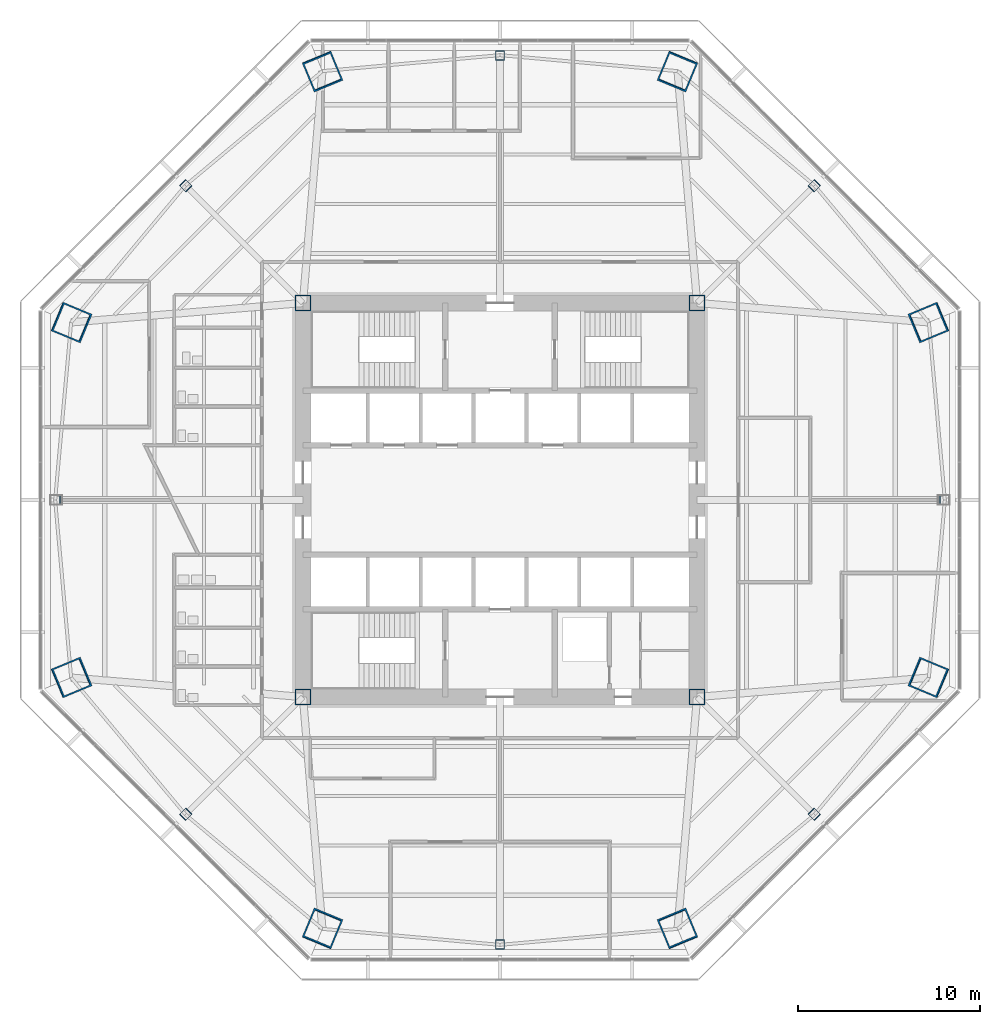
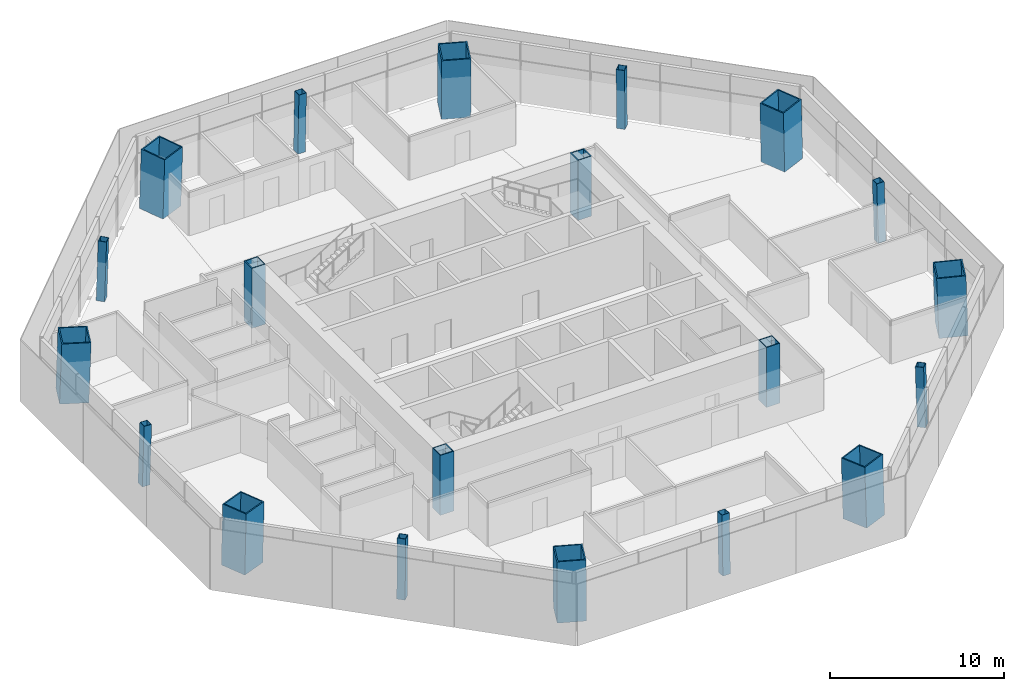
# One storey, part 1 of 16: 20 columns.
"""IFC4 building model written with IfcOpenShell, lengths in metres."""

import ifcopenshell
import ifcopenshell.guid

model = None  # the IFC model being written
_history = None  # IfcOwnerHistory: only IFC2X3 demands one
_inside = {}  # id of a spatial element -> (the spatial element, [elements in it])
_under = {}  # id of a project, library or spatial element -> (it, [spatial elements below it])
_declared = {}  # id of a project -> (the project, [libraries it declares])
_typed = {}  # id of a type object -> (the type object, [elements of that type])
_made_of = {}  # id of a material, layer set ... -> (it, [elements and type objects made of it])


def new_model(schema):
    """Start an empty IFC model of exactly this schema.

    Asked for "IFC4X3", IfcOpenShell would pick the latest addendum, in which some entities
    have other attributes; the version numbers below select the first issue.
    IFC2X3 requires an IfcOwnerHistory on every rooted entity: one is made here for all.
    """
    global model, _history
    if schema == "IFC4X3":
        model = ifcopenshell.file(schema_version=(4, 3, 0, 0))
    else:
        model = ifcopenshell.file(schema=schema)
    _inside.clear()
    _under.clear()
    _declared.clear()
    _typed.clear()
    _made_of.clear()
    _history = None
    if model.schema == "IFC2X3":
        org = make("IfcOrganization", Name="unknown")
        user = make(
            "IfcPersonAndOrganization",
            ThePerson=make("IfcPerson", FamilyName="unknown"),
            TheOrganization=org,
        )
        app = make(
            "IfcApplication",
            ApplicationDeveloper=org,
            Version="unknown",
            ApplicationFullName="unknown",
            ApplicationIdentifier="unknown",
        )
        _history = make(
            "IfcOwnerHistory",
            OwningUser=user,
            OwningApplication=app,
            ChangeAction="ADDED",
            CreationDate=0,
        )
    return model


def make(cls, **values):
    """One entity of the class cls with the attributes given. An attribute that is None is left unset."""
    return model.create_entity(
        cls, **{name: value for name, value in values.items() if value is not None}
    )


def rooted(cls, **values):
    """An entity with a GlobalId (a new one), such as an element, a storey or a relation."""
    return make(cls, GlobalId=ifcopenshell.guid.new(), OwnerHistory=_history, **values)


def si_unit(unit_type, name, prefix=None):
    """IfcSIUnit, for example si_unit("LENGTHUNIT", "METRE", prefix="MILLI")."""
    return make("IfcSIUnit", UnitType=unit_type, Prefix=prefix, Name=name)


def assignment(units):
    """IfcUnitAssignment: the units of a project."""
    return None if units is None else make("IfcUnitAssignment", Units=units)


def point(xyz):
    """IfcCartesianPoint."""
    return None if xyz is None else make("IfcCartesianPoint", Coordinates=xyz)


def direction(xyz):
    """IfcDirection."""
    return None if xyz is None else make("IfcDirection", DirectionRatios=xyz)


def frame(location, z_axis=None, x_axis=None):
    """IfcAxis2Placement3D, a coordinate frame: its origin and axes. An axis left out is left unset."""
    return make(
        "IfcAxis2Placement3D",
        Location=point(location),
        Axis=direction(z_axis),
        RefDirection=direction(x_axis),
    )


def frame_2d(location, x_axis=None):
    """IfcAxis2Placement2D, a coordinate frame in the plane: its origin and x axis."""
    return make(
        "IfcAxis2Placement2D", Location=point(location), RefDirection=direction(x_axis)
    )


def origin():
    """The frame at (0, 0, 0) with its axes left unset."""
    return frame((0.0, 0.0, 0.0))


def origin_2d():
    """The frame at (0, 0) in the plane with its x axis left unset."""
    return frame_2d((0.0, 0.0))


def place(relative_to, where):
    """IfcLocalPlacement: puts the frame where relative to a parent placement (None: the world)."""
    return make(
        "IfcLocalPlacement", PlacementRelTo=relative_to, RelativePlacement=where
    )


def context(
    kind, dimensions, precision=None, world=None, true_north=None, identifier=None
):
    """IfcGeometricRepresentationContext, for example the 3D "Model" context."""
    return make(
        "IfcGeometricRepresentationContext",
        ContextIdentifier=identifier,
        ContextType=kind,
        CoordinateSpaceDimension=dimensions,
        Precision=precision,
        WorldCoordinateSystem=world,
        TrueNorth=true_north,
    )


def subcontext(parent, identifier, kind, view, scale=None):
    """IfcGeometricRepresentationSubContext, for example "Body" below "Model"."""
    return make(
        "IfcGeometricRepresentationSubContext",
        ContextIdentifier=identifier,
        ContextType=kind,
        ParentContext=parent,
        TargetScale=scale,
        TargetView=view,
    )


def project(units=None, contexts=None):
    """IfcProject with its units and contexts."""
    return rooted(
        "IfcProject",
        Name="project",
        RepresentationContexts=contexts,
        UnitsInContext=assignment(units),
    )


def spatial(cls, under=None, at=None, **own):
    """A site, building, storey or space (cls), placed at a placement, below another one or the project."""
    s = rooted(cls, ObjectPlacement=at, **own)
    if under is not None:
        _under.setdefault(under.id(), (under, []))[1].append(s)
    return s


def profile(cls, at=None, kind="AREA", **sizes):
    """A parametric profile (cls). Its sizes go by their IFC names, for example OverallWidth=200.0."""
    return make(cls, ProfileType=kind, Position=at, **sizes)


def hollow_rectangle(**sizes):
    """IfcRectangleHollowProfileDef."""
    return profile("IfcRectangleHollowProfileDef", **sizes)


def extrude(swept, where, along, depth):
    """IfcExtrudedAreaSolid: the profile swept, set in the frame where, extruded along a direction by depth."""
    return make(
        "IfcExtrudedAreaSolid",
        SweptArea=swept,
        Position=where,
        ExtrudedDirection=direction(along),
        Depth=depth,
    )


def shape(context_of_items, identifier, shape_type, items):
    """IfcShapeRepresentation: the items that make up one representation, for example the "Body"."""
    return make(
        "IfcShapeRepresentation",
        ContextOfItems=context_of_items,
        RepresentationIdentifier=identifier,
        RepresentationType=shape_type,
        Items=items,
    )


def material(Name=None, Category=None):
    """IfcMaterial."""
    return make("IfcMaterial", Name=Name, Category=Category)


def material_profile(
    of_material, cross_section, Name=None, Category=None, Priority=None
):
    """IfcMaterialProfile: a cross section and its material."""
    return make(
        "IfcMaterialProfile",
        Name=Name,
        Material=of_material,
        Profile=cross_section,
        Priority=Priority,
        Category=Category,
    )


def profile_set(profiles, Name=None, composite=None):
    """IfcMaterialProfileSet."""
    return make(
        "IfcMaterialProfileSet",
        Name=Name,
        MaterialProfiles=profiles,
        CompositeProfile=composite,
    )


def made_of(thing, what):
    """Note that an element or type object is made of a material, layer set ...; save() writes the relation."""
    if what is not None:
        _made_of.setdefault(what.id(), (what, []))[1].append(thing)
    return thing


def type_object(cls, material=None, **own):
    """A type object (cls), such as IfcWallType, which elements share."""
    return made_of(rooted(cls, **own), material)


def element(
    cls,
    number,
    at=None,
    inside=None,
    cuts=None,
    type_object=None,
    material=None,
    context=None,
    identifier="Body",
    shape_type=None,
    held_by="IfcProductDefinitionShape",
    body=None,
    shapes=None,
    **own,
):
    """One element of the class cls, such as IfcWall. Its Tag is "e" and its number.

    at: its placement. inside: the storey or other place that contains it. cuts: it is an
    opening in that element (IfcRelVoidsElement). A single representation is given by context,
    identifier, shape_type and body (its items); several are given by shapes. held_by: the class
    of the entity that holds the representations. save() writes the other relations.
    """
    e = rooted(cls, Tag="e%d" % number, ObjectPlacement=at, **own)
    if body is not None:
        shapes = [shape(context, identifier, shape_type, body)]
    if shapes is not None:
        e.Representation = make(held_by, Representations=shapes)
    if inside is not None:
        _inside.setdefault(inside.id(), (inside, []))[1].append(e)
    if cuts is not None:
        rooted(
            "IfcRelVoidsElement", RelatingBuildingElement=cuts, RelatedOpeningElement=e
        )
    if type_object is not None:
        _typed.setdefault(type_object.id(), (type_object, []))[1].append(e)
    return made_of(e, material)


def aggregate(whole, parts):
    """IfcRelAggregates: a whole, such as a stair, and the parts it consists of."""
    return rooted("IfcRelAggregates", RelatingObject=whole, RelatedObjects=parts)


def save(model, path):
    """Write the relations noted so far, then the file.

    IfcRelAggregates (storeys below a building ...), IfcRelContainedInSpatialStructure (elements
    in a storey), IfcRelDefinesByType, IfcRelAssociatesMaterial and IfcRelDeclares: one each for
    every whole, place, type object, material and project.
    """
    for whole, parts in _under.values():
        aggregate(whole, parts)
    for where, things in _inside.values():
        rooted(
            "IfcRelContainedInSpatialStructure",
            RelatedElements=things,
            RelatingStructure=where,
        )
    for kind, things in _typed.values():
        rooted("IfcRelDefinesByType", RelatedObjects=things, RelatingType=kind)
    for what, things in _made_of.values():
        rooted("IfcRelAssociatesMaterial", RelatedObjects=things, RelatingMaterial=what)
    for by, libraries in _declared.values():
        rooted("IfcRelDeclares", RelatingContext=by, RelatedDefinitions=libraries)
    model.write(path)


model = new_model("IFC4")

# Units and contexts
model_context = context("Model", 3, precision=1e-05, world=origin(), true_north=direction((0.0, 1.0)))
body_context = subcontext(model_context, "Body", "Model", "MODEL_VIEW")
ifc_project = project(units=[si_unit("LENGTHUNIT", "METRE"), si_unit("AREAUNIT", "SQUARE_METRE"), si_unit("VOLUMEUNIT", "CUBIC_METRE"), si_unit("PLANEANGLEUNIT", "RADIAN"), si_unit("MASSUNIT", "GRAM", prefix="KILO")], contexts=[model_context])

# Site, building, storey
site_placement = place(None, origin())
site = spatial("IfcSite", under=ifc_project, at=site_placement, CompositionType="ELEMENT")
building_placement = place(site_placement, origin())
building = spatial("IfcBuilding", under=site, at=building_placement, Name="Mashrafa Tower", CompositionType="ELEMENT")
storey_placement = place(building_placement, frame((0.0, 0.0, 100.199951171875)))
storey = spatial("IfcBuildingStorey", under=building, at=storey_placement, Name="L22", CompositionType="ELEMENT", Elevation=100.199951171875)

# Columns
ifc_material_1 = material(Name="Steel ASTM A572 Gr 50", Category="steel")
ifc_material_profile_1 = material_profile(ifc_material_1, hollow_rectangle(XDim=0.89990234375, YDim=0.89990234375, WallThickness=0.06005859375, at=origin_2d()), Name="BOX900X900X60")
ifc_profile_set_1 = profile_set([ifc_material_profile_1], Name="Steel ASTM A572 Gr 50")
column_type_1 = type_object("IfcColumnType", Name="Core corner column BOX900X900X60", PredefinedType="COLUMN", material=ifc_profile_set_1)
for number, where, z_axis, x_axis, name in (
    (1, (10.800048828125, 10.800048828125, 0.0), (0.0, 0.0, 1.0), (1.0, 0.0, 0.0), "Core corner column CC-NE L22"),
    (2, (-10.800048828125, 10.800048828125, 0.0), (0.0, 0.0, 1.0), (1.0, 0.0, 0.0), "Core corner column CC-NW L22"),
    (3, (-10.800048828125, -10.800048828125, 0.0), (0.0, 0.0, 1.0), (1.0, 0.0, 0.0), "Core corner column CC-SW L22"),
    (4, (10.800048828125, -10.800048828125, 0.0), (0.0, 0.0, 1.0), (1.0, 0.0, 0.0), "Core corner column CC-SE L22"),
):
    element("IfcColumn", number, at=place(storey_placement, frame(where, z_axis=z_axis, x_axis=x_axis)), inside=storey, type_object=column_type_1, Name=name, PredefinedType="COLUMN", context=body_context, shape_type="SweptSolid", body=[
        extrude(hollow_rectangle(XDim=0.89990234375, YDim=0.89990234375, WallThickness=0.06005859375, at=origin_2d()), origin(), (0.0, 0.0, 1.0), 4.199951171875),
    ])
ifc_material_2 = material(Name="Steel ASTM A572 Gr 50", Category="steel")
ifc_material_profile_2 = material_profile(ifc_material_2, hollow_rectangle(XDim=1.699951171875, YDim=1.699951171875, WallThickness=0.080078125, at=origin_2d()), Name="BOX1700X1700X80")
ifc_profile_set_2 = profile_set([ifc_material_profile_2], Name="Steel ASTM A572 Gr 50")
column_type_2 = type_object("IfcColumnType", Name="Mega column CFST BOX1700X1700X80", PredefinedType="COLUMN", material=ifc_profile_set_2)
for number, where, z_axis, x_axis, name in (
    (5, (23.501953125, 9.73486328125, 0.0), (-0.028237674468, -0.01173664659, 0.999532333078), (0.38380575713, -0.923413851312, 0.0), "Mega column MC1 L22"),
    (6, (9.73486328125, 23.501953125, 0.0), (-0.01173664659, -0.028237674468, 0.999532333078), (0.923413851312, -0.38380575713, 0.0), "Mega column MC2 L22"),
    (7, (-9.73486328125, 23.501953125, 0.0), (0.01173664659, -0.028237674468, 0.999532333078), (0.923413851312, 0.38380575713, 0.0), "Mega column MC3 L22"),
    (8, (-23.501953125, 9.73486328125, 0.0), (0.028237674468, -0.01173664659, 0.999532333078), (0.38380575713, 0.923413851312, 0.0), "Mega column MC4 L22"),
    (9, (-23.501953125, -9.73486328125, 0.0), (0.028237674468, 0.01173664659, 0.999532333078), (-0.38380575713, 0.923413851312, 0.0), "Mega column MC5 L22"),
    (10, (-9.73486328125, -23.501953125, 0.0), (0.01173664659, 0.028237674468, 0.999532333078), (-0.923413851312, 0.38380575713, 0.0), "Mega column MC6 L22"),
    (11, (9.73486328125, -23.501953125, 0.0), (-0.01173664659, 0.028237674468, 0.999532333078), (-0.923413851312, -0.38380575713, 0.0), "Mega column MC7 L22"),
    (12, (23.501953125, -9.73486328125, 0.0), (-0.028237674468, 0.01173664659, 0.999532333078), (-0.38380575713, -0.923413851312, 0.0), "Mega column MC8 L22"),
):
    element("IfcColumn", number, at=place(storey_placement, frame(where, z_axis=z_axis, x_axis=x_axis)), inside=storey, type_object=column_type_2, Name=name, PredefinedType="COLUMN", context=body_context, shape_type="SweptSolid", body=[
        extrude(hollow_rectangle(XDim=1.699951171875, YDim=1.699951171875, WallThickness=0.080078125, at=origin_2d()), origin(), (0.0, 0.0, 1.0), 4.201904296875),
    ])
ifc_material_3 = material(Name="Steel ASTM A572 Gr 50", Category="steel")
ifc_material_profile_3 = material_profile(ifc_material_3, hollow_rectangle(XDim=0.5, YDim=0.5, WallThickness=0.02490234375, at=origin_2d()), Name="BOX500X500X25")
ifc_profile_set_3 = profile_set([ifc_material_profile_3], Name="Steel ASTM A572 Gr 50")
column_type_3 = type_object("IfcColumnType", Name="Secondary column BOX500X500X25", PredefinedType="COLUMN", material=ifc_profile_set_3)
for number, where, z_axis, x_axis, name in (
    (13, (24.380126953125, 0.0, 0.0), (-0.028239619523, 0.0, 0.999601182417), (0.0, -1.0, 0.0), "Secondary column SC1 L22"),
    (14, (17.239501953125, 17.239501953125, 0.0), (-0.020046580746, -0.020046580746, 0.99959805382), (0.707106781187, -0.707106781187, 0.0), "Secondary column SC2 L22"),
    (15, (0.0, 24.380126953125, 0.0), (0.0, -0.028239619523, 0.999601182417), (1.0, 0.0, 0.0), "Secondary column SC3 L22"),
    (16, (-17.239501953125, 17.239501953125, 0.0), (0.020046580746, -0.020046580746, 0.99959805382), (0.707106781187, 0.707106781187, 0.0), "Secondary column SC4 L22"),
    (17, (-24.380126953125, 0.0, 0.0), (0.028239619523, 0.0, 0.999601182417), (0.0, 1.0, 0.0), "Secondary column SC5 L22"),
    (18, (-17.239501953125, -17.239501953125, 0.0), (0.020046580746, 0.020046580746, 0.99959805382), (-0.707106781187, 0.707106781187, 0.0), "Secondary column SC6 L22"),
    (19, (0.0, -24.380126953125, 0.0), (0.0, 0.028239619523, 0.999601182417), (-1.0, 0.0, 0.0), "Secondary column SC7 L22"),
    (20, (17.239501953125, -17.239501953125, 0.0), (-0.020046580746, 0.020046580746, 0.99959805382), (-0.707106781187, -0.707106781187, 0.0), "Secondary column SC8 L22"),
):
    element("IfcColumn", number, at=place(storey_placement, frame(where, z_axis=z_axis, x_axis=x_axis)), inside=storey, type_object=column_type_3, Name=name, PredefinedType="COLUMN", context=body_context, shape_type="SweptSolid", body=[
        extrude(hollow_rectangle(XDim=0.5, YDim=0.5, WallThickness=0.02490234375, at=origin_2d()), origin(), (0.0, 0.0, 1.0), 4.20166015625),
    ])

save(model, "model.ifc")
